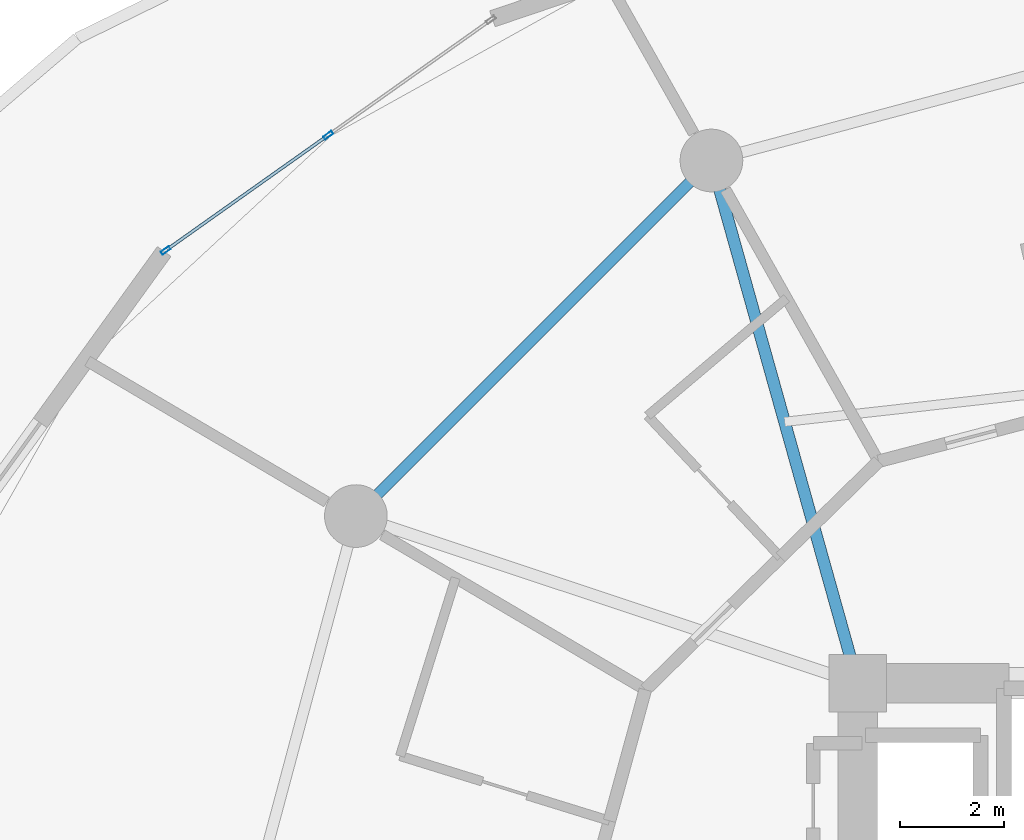
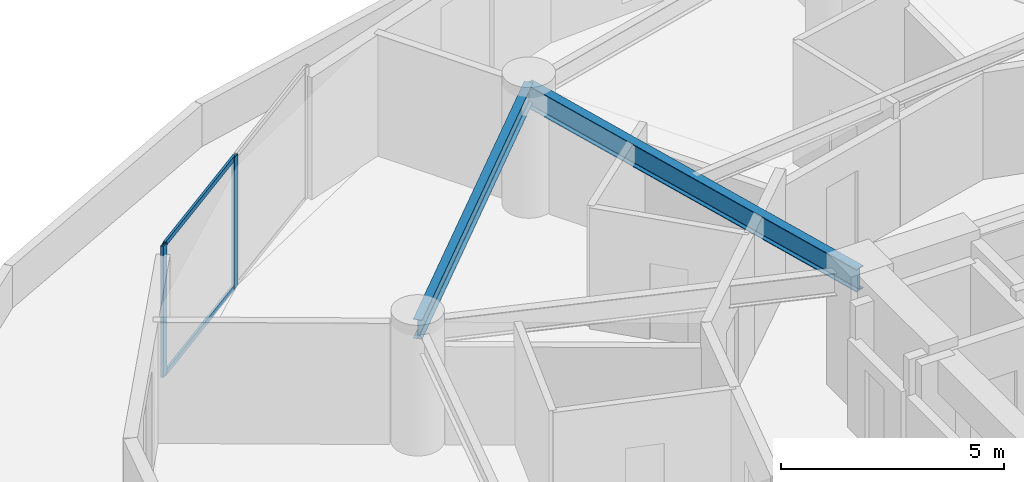
# One storey, part 12 of 25: 4 members, 2 beams, 1 element without a shape of its own.
"""IFC4 building model written with IfcOpenShell, lengths in metres."""

from ifc_helpers import new_model, si_unit, direction, frame, origin, origin_2d, place, context, subcontext, project, spatial, hollow_rectangle, i_section, extrude, source, transform, mapped, material, layer, layer_set, material_profile, profile_set, type_object, element, aggregate, save


model = new_model("IFC4")

# Units and contexts
model_context = context("Model", 3, precision=1e-05, world=origin(), true_north=direction((0.0, 1.0)))
body_context = subcontext(model_context, "Body", "Model", "MODEL_VIEW")
ifc_project = project(units=[si_unit("LENGTHUNIT", "METRE"), si_unit("AREAUNIT", "SQUARE_METRE"), si_unit("VOLUMEUNIT", "CUBIC_METRE"), si_unit("PLANEANGLEUNIT", "RADIAN"), si_unit("MASSUNIT", "GRAM", prefix="KILO")], contexts=[model_context])

# Site, building, storey
site_placement = place(None, origin())
site = spatial("IfcSite", under=ifc_project, at=site_placement, CompositionType="ELEMENT")
building_placement = place(site_placement, origin())
building = spatial("IfcBuilding", under=site, at=building_placement, Name="Solvirekh Grand Hotel", CompositionType="ELEMENT")
storey_placement = place(building_placement, frame((0.0, 0.0, 28.39990234375)))
storey = spatial("IfcBuildingStorey", under=building, at=storey_placement, Name="L05", CompositionType="ELEMENT", Elevation=28.39990234375)

# Beams
ifc_material_1 = material(Name="Steel S355", Category="steel")
ifc_material_profile_1 = material_profile(ifc_material_1, i_section(OverallWidth=0.22802734375, OverallDepth=0.616943359375, WebThickness=0.012939453125, FlangeThickness=0.02001953125, FilletRadius=0.014892578125, at=origin_2d()), Name="W610X140")
ifc_profile_set_1 = profile_set([ifc_material_profile_1], Name="Steel S355")
beam_type_1 = type_object("IfcBeamType", Name="Beam_Radial_W610", PredefinedType="BEAM", material=ifc_profile_set_1)
beam_1_placement = place(storey_placement, frame((-6.5, 6.10009765625, 3.031005859375), z_axis=(-0.269439084681, 0.963017434757, 0.0), x_axis=(-0.963017434757, -0.269439084681, 0.0)))
element("IfcBeam", 1, at=beam_1_placement, inside=storey, type_object=beam_type_1, Name="L05 radial floor beam R05", PredefinedType="BEAM", context=body_context, shape_type="SweptSolid", body=[
    extrude(i_section(OverallWidth=0.22802734375, OverallDepth=0.616943359375, WebThickness=0.012939453125, FlangeThickness=0.02001953125, FilletRadius=0.014892578125, at=origin_2d()), origin(), (0.0, 0.0, 1.0), 10.39208984375),
])
ifc_material_profile_2 = material_profile(ifc_material_1, i_section(OverallWidth=0.208984375, OverallDepth=0.532958984375, WebThickness=0.010009765625, FlangeThickness=0.014892578125, FilletRadius=0.013916015625, at=origin_2d()), Name="W530X92")
ifc_profile_set_2 = profile_set([ifc_material_profile_2], Name="Steel S355")
beam_type_2 = type_object("IfcBeamType", Name="Spandrel_Ring_W530", PredefinedType="SPANDREL", material=ifc_profile_set_2)
beam_2_placement = place(storey_placement, frame((-9.300048828125, 16.10791015625, 3.072998046875), z_axis=(-0.707106781187, -0.707106781187, 0.0), x_axis=(0.707106781187, -0.707106781187, 0.0)))
element("IfcBeam", 2, at=beam_2_placement, inside=storey, type_object=beam_type_2, Name="L05 perimeter spandrel beam 5", PredefinedType="SPANDREL", context=body_context, shape_type="SweptSolid", body=[
    extrude(i_section(OverallWidth=0.208984375, OverallDepth=0.532958984375, WebThickness=0.010009765625, FlangeThickness=0.014892578125, FilletRadius=0.013916015625, at=origin_2d()), origin(), (0.0, 0.0, 1.0), 9.627685546875),
])

# Curtain wall, members
ifc_material_2 = material(Name="Anodized Bronze Aluminium 6063-T6", Category="aluminium")
ifc_layer = layer(ifc_material_2, 0.18994140625)
ifc_layer_set = layer_set([ifc_layer], Name="Anodized Bronze Aluminium 6063-T6")
curtain_wall_type = type_object("IfcCurtainWallType", Name="CW_Sys2_LowZoneFlushBronzeCW", PredefinedType="NOTDEFINED", material=ifc_layer_set)
curtain_wall_placement = place(storey_placement, origin())
curtain_wall = element("IfcCurtainWall", 3, at=curtain_wall_placement, inside=storey, type_object=curtain_wall_type, Name="L05 unitised bronze-glass curtain wall CW-L05-C08", PredefinedType="NOTDEFINED")
ifc_material_profile_3 = material_profile(ifc_material_2, hollow_rectangle(XDim=0.070068359375, YDim=0.18994140625, WallThickness=0.0048828125, at=origin_2d()), Name="ALU RHS 190X70X5")
ifc_profile_set_3 = profile_set([ifc_material_profile_3], Name="Anodized Bronze Aluminium 6063-T6")
member_type_1 = type_object("IfcMemberType", Name="CWMullion_Sys2", PredefinedType="MULLION", material=ifc_profile_set_3)
shared_shape_1 = source(origin(), body_context, "Body", "SweptSolid", [
    extrude(hollow_rectangle(XDim=0.070068359375, YDim=0.18994140625, WallThickness=0.0048828125, at=origin_2d()), origin(), (0.0, 0.0, 1.0), 3.60009765625),
])
member_1_placement = place(storey_placement, frame((-16.635498046875, 16.593017578125, 0.0), z_axis=(0.0, 0.0, 1.0), x_axis=(0.578373813708, -0.815771862482, 0.0)))
member_1 = element("IfcMember", 4, at=member_1_placement, type_object=member_type_1, Name="U02 mullion 2", PredefinedType="MULLION", context=body_context, shape_type="MappedRepresentation", body=[
    mapped(shared_shape_1, transform((0.0, 0.0, 0.0), x_axis=(1.0, 0.0, 0.0), y_axis=(0.0, 1.0, 0.0), z_axis=(0.0, 0.0, 1.0), scale=1.0)),
])
member_2_placement = place(storey_placement, frame((-19.74951171875, 14.38525390625, 0.0), z_axis=(0.0, 0.0, 1.0), x_axis=(0.578373813708, -0.815771862482, 0.0)))
member_2 = element("IfcMember", 5, at=member_2_placement, type_object=member_type_1, Name="U02 mullion 3", PredefinedType="MULLION", context=body_context, shape_type="MappedRepresentation", body=[
    mapped(shared_shape_1, transform((0.0, 0.0, 0.0), x_axis=(1.0, 0.0, 0.0), y_axis=(0.0, 1.0, 0.0), z_axis=(0.0, 0.0, 1.0), scale=1.0)),
])
ifc_material_profile_4 = material_profile(ifc_material_2, hollow_rectangle(XDim=0.06005859375, YDim=0.135009765625, WallThickness=0.00390625, at=origin_2d()), Name="ALU RHS 135X60X4")
ifc_profile_set_4 = profile_set([ifc_material_profile_4], Name="Anodized Bronze Aluminium 6063-T6")
member_type_2 = type_object("IfcMemberType", Name="CWTransom_Sys2", PredefinedType="USERDEFINED", material=ifc_profile_set_4)
shared_shape_2 = source(origin(), body_context, "Body", "SweptSolid", [
    extrude(hollow_rectangle(XDim=0.06005859375, YDim=0.135009765625, WallThickness=0.00390625, at=origin_2d()), origin(), (0.0, 0.0, 1.0), 3.747314453125),
])
member_3_placement = place(storey_placement, frame((-16.6640625, 16.57275390625, 0.030029296875), z_axis=(-0.815779839774, -0.57836256191, 0.0), x_axis=(0.57836256191, -0.815779839774, 0.0)))
member_3 = element("IfcMember", 6, at=member_3_placement, type_object=member_type_2, Name="U02 transom 2.1", ObjectType="TRANSOM", PredefinedType="USERDEFINED", context=body_context, shape_type="MappedRepresentation", body=[
    mapped(shared_shape_2, transform((0.0, 0.0, 0.0), x_axis=(1.0, 0.0, 0.0), y_axis=(0.0, 1.0, 0.0), z_axis=(0.0, 0.0, 1.0), scale=1.0)),
])
member_4_placement = place(storey_placement, frame((-16.6640625, 16.57275390625, 3.570068359375), z_axis=(-0.815779839774, -0.57836256191, 0.0), x_axis=(0.57836256191, -0.815779839774, 0.0)))
member_4 = element("IfcMember", 7, at=member_4_placement, type_object=member_type_2, Name="U02 transom 2.2", ObjectType="TRANSOM", PredefinedType="USERDEFINED", context=body_context, shape_type="MappedRepresentation", body=[
    mapped(shared_shape_2, transform((0.0, 0.0, 0.0), x_axis=(1.0, 0.0, 0.0), y_axis=(0.0, 1.0, 0.0), z_axis=(0.0, 0.0, 1.0), scale=1.0)),
])
aggregate(curtain_wall, [member_1, member_2, member_3, member_4])

save(model, "model.ifc")
